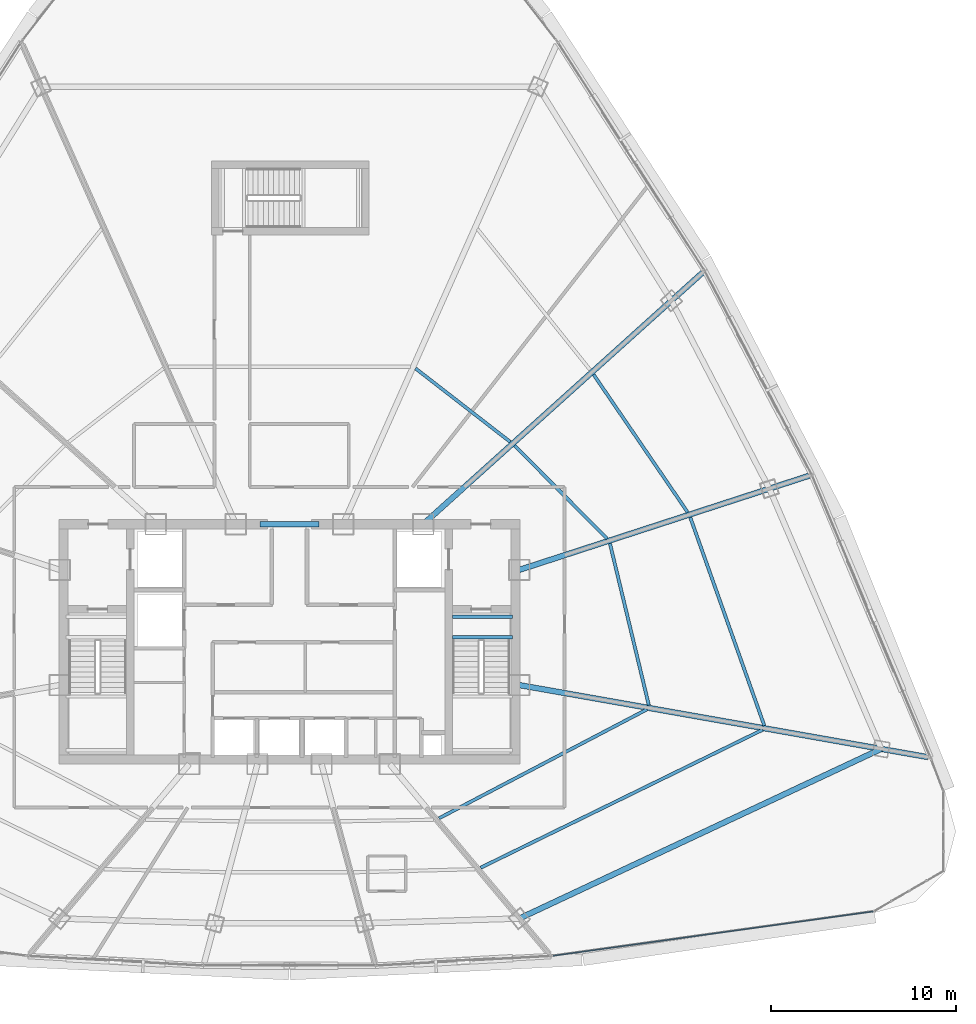
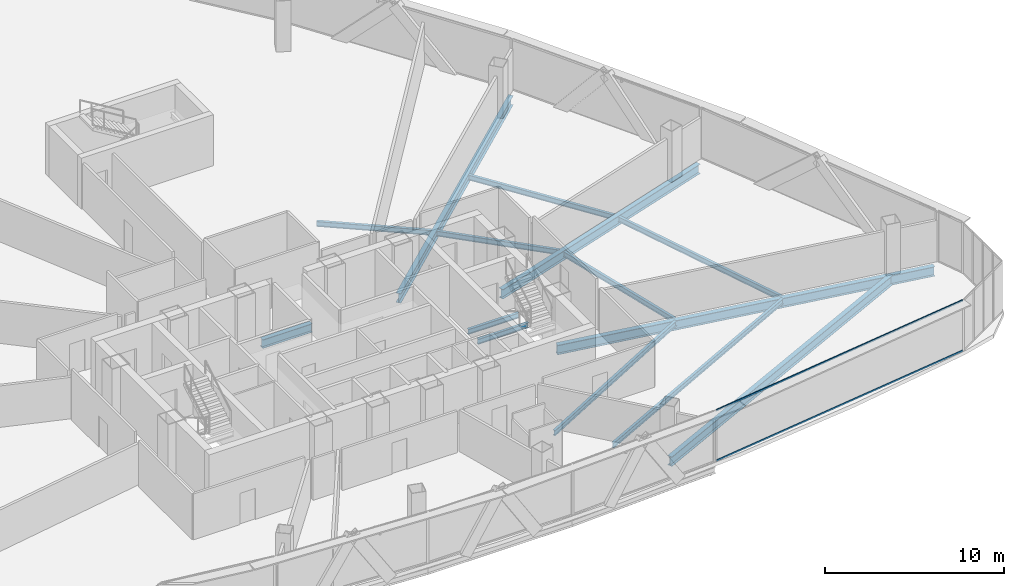
# One storey, part 13 of 36: 14 beams, 2 members, 1 element without a shape of its own.
"""IFC4 building model written with IfcOpenShell, lengths in metres."""

from ifc_helpers import new_model, si_unit, direction, frame, origin, origin_2d, place, context, subcontext, project, spatial, hollow_rectangle, i_section, extrude, source, transform, mapped, material, layer, layer_set, material_profile, profile_set, type_object, element, aggregate, save


model = new_model("IFC4")

# Units and contexts
model_context = context("Model", 3, precision=1e-05, world=origin(), true_north=direction((0.0, 1.0)))
body_context = subcontext(model_context, "Body", "Model", "MODEL_VIEW")
ifc_project = project(units=[si_unit("LENGTHUNIT", "METRE"), si_unit("AREAUNIT", "SQUARE_METRE"), si_unit("VOLUMEUNIT", "CUBIC_METRE"), si_unit("PLANEANGLEUNIT", "RADIAN"), si_unit("MASSUNIT", "GRAM", prefix="KILO"), si_unit("THERMODYNAMICTEMPERATUREUNIT", "KELVIN"), si_unit("POWERUNIT", "WATT")], contexts=[model_context])

# Site, building, storey
site_placement = place(None, origin())
site = spatial("IfcSite", under=ifc_project, at=site_placement, CompositionType="ELEMENT")
building_placement = place(site_placement, origin())
building = spatial("IfcBuilding", under=site, at=building_placement, Name="Yunzhuo Pagoda Commons", CompositionType="ELEMENT")
storey_placement = place(building_placement, frame((0.0, 0.0, 244.530029296875)))
storey = spatial("IfcBuildingStorey", under=building, at=storey_placement, Name="L61", CompositionType="ELEMENT", Elevation=244.530029296875)

# Beams
ifc_material_1 = material(Name="Structural steel Q355B", Category="steel")
ifc_material_profile_1 = material_profile(ifc_material_1, i_section(OverallWidth=0.175048828125, OverallDepth=0.35009765625, WebThickness=0.007080078125, FlangeThickness=0.010986328125, at=origin_2d()), Name="Structural steel Q355B")
ifc_profile_set_1 = profile_set([ifc_material_profile_1], Name="Structural steel Q355B")
beam_type_1 = type_object("IfcBeamType", Name="B-JS2 Joist HN 350x175x7x11", PredefinedType="JOIST", material=ifc_profile_set_1)
shared_shape_1 = source(origin(), body_context, "Body", "SweptSolid", [
    extrude(i_section(OverallWidth=0.175048828125, OverallDepth=0.35009765625, WebThickness=0.007080078125, FlangeThickness=0.010986328125, at=origin_2d()), origin(), (0.0, 0.0, 1.0), 3.25),
])
for number, where, z_axis, x_axis, name in (
    (1, (56.800048828125, 34.10009765625, -0.375), (1.0, 0.0, 0.0), (0.0, 1.0, 0.0), "L61 ST2 landing support beam 165A"),
    (2, (56.800048828125, 35.199951171875, -0.375), (1.0, 0.0, 0.0), (0.0, 1.0, 0.0), "L61 ST2 landing support beam 165B"),
):
    element("IfcBeam", number, at=place(storey_placement, frame(where, z_axis=z_axis, x_axis=x_axis)), inside=storey, type_object=beam_type_1, Name=name, PredefinedType="JOIST", context=body_context, shape_type="MappedRepresentation", body=[
        mapped(shared_shape_1, transform((0.0, 0.0, 0.0), scale=1.0)),
    ])
ifc_material_2 = material(Name="Structural steel Q420B", Category="steel")
ifc_material_profile_2 = material_profile(ifc_material_2, i_section(OverallWidth=0.300048828125, OverallDepth=0.587890625, WebThickness=0.011962890625, FlangeThickness=0.02001953125, at=origin_2d()), Name="Structural steel Q420B")
ifc_profile_set_2 = profile_set([ifc_material_profile_2], Name="Structural steel Q420B")
beam_type_2 = type_object("IfcBeamType", Name="B-CPL Beam HM 588x300x12x20", PredefinedType="BEAM", material=ifc_profile_set_2)
shared_shape_2 = source(origin(), body_context, "Body", "SweptSolid", [
    extrude(i_section(OverallWidth=0.300048828125, OverallDepth=0.587890625, WebThickness=0.011962890625, FlangeThickness=0.02001953125, at=origin_2d()), origin(), (0.0, 0.0, 1.0), 3.2001953125),
])
beam_1_placement = place(storey_placement, frame((46.39990234375, 40.199951171875, -0.553955078125), z_axis=(1.0, 0.0, 0.0), x_axis=(0.0, 1.0, 0.0)))
element("IfcBeam", 3, at=beam_1_placement, inside=storey, type_object=beam_type_2, Name="L61 core coupling girder", PredefinedType="BEAM", context=body_context, shape_type="MappedRepresentation", body=[
    mapped(shared_shape_2, transform((0.0, 0.0, 0.0), scale=1.0)),
])
ifc_material_profile_3 = material_profile(ifc_material_1, i_section(OverallWidth=0.300048828125, OverallDepth=0.64990234375, WebThickness=0.012939453125, FlangeThickness=0.02197265625, at=origin_2d()), Name="Structural steel Q355B")
ifc_profile_set_3 = profile_set([ifc_material_profile_3], Name="Structural steel Q355B")
beam_type_3 = type_object("IfcBeamType", Name="B-RG2 Beam HN 650x300x13x22", PredefinedType="BEAM", material=ifc_profile_set_3)
shared_shape_3 = source(origin(), body_context, "Body", "SweptSolid", [
    extrude(i_section(OverallWidth=0.300048828125, OverallDepth=0.64990234375, WebThickness=0.012939453125, FlangeThickness=0.02197265625, at=origin_2d()), origin(), (0.0, 0.0, 1.0), 21.56689453125),
])
beam_2_placement = place(storey_placement, frame((60.406982421875, 18.913818359375, -0.5849609375), z_axis=(0.905424265365, 0.424507832304, 0.0), x_axis=(-0.424507832304, 0.905424265365, 0.0)))
element("IfcBeam", 4, at=beam_2_placement, inside=storey, type_object=beam_type_3, Name="L61 column-ring beam 4", PredefinedType="BEAM", context=body_context, shape_type="MappedRepresentation", body=[
    mapped(shared_shape_3, transform((0.0, 0.0, 0.0), scale=1.0)),
])
shared_shape_4 = source(origin(), body_context, "Body", "SweptSolid", [
    extrude(i_section(OverallWidth=0.175048828125, OverallDepth=0.35009765625, WebThickness=0.007080078125, FlangeThickness=0.010986328125, at=origin_2d()), origin(), (0.0, 0.0, 1.0), 12.666259765625),
])
beam_3_placement = place(storey_placement, frame((56.0712890625, 24.32275390625, -0.43505859375), z_axis=(0.885841344078, 0.463988268302, 0.0), x_axis=(-0.463988268302, 0.885841344078, 0.0)))
element("IfcBeam", 5, at=beam_3_placement, inside=storey, type_object=beam_type_1, Name="L61 composite ring joist 1.4", PredefinedType="JOIST", context=body_context, shape_type="MappedRepresentation", body=[
    mapped(shared_shape_4, transform((0.0, 0.0, 0.0), scale=1.0)),
])
shared_shape_5 = source(origin(), body_context, "Body", "SweptSolid", [
    extrude(i_section(OverallWidth=0.175048828125, OverallDepth=0.35009765625, WebThickness=0.007080078125, FlangeThickness=0.010986328125, at=origin_2d()), origin(), (0.0, 0.0, 1.0), 16.95361328125),
])
beam_4_placement = place(storey_placement, frame((58.3115234375, 21.6513671875, -0.43505859375), z_axis=(0.898261717675, 0.439460904473, 0.0), x_axis=(-0.439460904473, 0.898261717675, 0.0)))
element("IfcBeam", 6, at=beam_4_placement, inside=storey, type_object=beam_type_1, Name="L61 composite ring joist 2.4", PredefinedType="JOIST", context=body_context, shape_type="MappedRepresentation", body=[
    mapped(shared_shape_5, transform((0.0, 0.0, 0.0), scale=1.0)),
])
shared_shape_6 = source(origin(), body_context, "Body", "SweptSolid", [
    extrude(i_section(OverallWidth=0.175048828125, OverallDepth=0.35009765625, WebThickness=0.007080078125, FlangeThickness=0.010986328125, at=origin_2d()), origin(), (0.0, 0.0, 1.0), 8.973876953125),
])
beam_5_placement = place(storey_placement, frame((67.395263671875, 30.42822265625, -0.43505859375), z_axis=(-0.233858589105, 0.972270620919, 0.0), x_axis=(-0.972270620919, -0.233858589105, 0.0)))
element("IfcBeam", 7, at=beam_5_placement, inside=storey, type_object=beam_type_1, Name="L61 composite ring joist 1.5", PredefinedType="JOIST", context=body_context, shape_type="MappedRepresentation", body=[
    mapped(shared_shape_6, transform((0.0, 0.0, 0.0), scale=1.0)),
])
shared_shape_7 = source(origin(), body_context, "Body", "SweptSolid", [
    extrude(i_section(OverallWidth=0.175048828125, OverallDepth=0.35009765625, WebThickness=0.007080078125, FlangeThickness=0.010986328125, at=origin_2d()), origin(), (0.0, 0.0, 1.0), 11.929931640625),
])
beam_6_placement = place(storey_placement, frame((73.6298828125, 29.3212890625, -0.43505859375), z_axis=(-0.335086374925, 0.942187413066, 0.0), x_axis=(-0.942187413066, -0.335086374925, 0.0)))
element("IfcBeam", 8, at=beam_6_placement, inside=storey, type_object=beam_type_1, Name="L61 composite ring joist 2.5", PredefinedType="JOIST", context=body_context, shape_type="MappedRepresentation", body=[
    mapped(shared_shape_7, transform((0.0, 0.0, 0.0), scale=1.0)),
])
shared_shape_8 = source(origin(), body_context, "Body", "SweptSolid", [
    extrude(i_section(OverallWidth=0.175048828125, OverallDepth=0.35009765625, WebThickness=0.007080078125, FlangeThickness=0.010986328125, at=origin_2d()), origin(), (0.0, 0.0, 1.0), 7.0732421875),
])
beam_7_placement = place(storey_placement, frame((65.147216796875, 39.42041015625, -0.43505859375), z_axis=(-0.706139657206, 0.708072584218, 0.0), x_axis=(-0.708072584218, -0.706139657206, 0.0)))
element("IfcBeam", 9, at=beam_7_placement, inside=storey, type_object=beam_type_1, Name="L61 composite ring joist 1.6", PredefinedType="JOIST", context=body_context, shape_type="MappedRepresentation", body=[
    mapped(shared_shape_8, transform((0.0, 0.0, 0.0), scale=1.0)),
])
shared_shape_9 = source(origin(), body_context, "Body", "SweptSolid", [
    extrude(i_section(OverallWidth=0.175048828125, OverallDepth=0.35009765625, WebThickness=0.007080078125, FlangeThickness=0.010986328125, at=origin_2d()), origin(), (0.0, 0.0, 1.0), 8.99365234375),
])
beam_8_placement = place(storey_placement, frame((69.4892578125, 40.8427734375, -0.43505859375), z_axis=(-0.564098900337, 0.825707230584, 0.0), x_axis=(-0.825707230584, -0.564098900337, 0.0)))
element("IfcBeam", 10, at=beam_8_placement, inside=storey, type_object=beam_type_1, Name="L61 composite ring joist 2.6", PredefinedType="JOIST", context=body_context, shape_type="MappedRepresentation", body=[
    mapped(shared_shape_9, transform((0.0, 0.0, 0.0), scale=1.0)),
])
shared_shape_10 = source(origin(), body_context, "Body", "SweptSolid", [
    extrude(i_section(OverallWidth=0.175048828125, OverallDepth=0.35009765625, WebThickness=0.007080078125, FlangeThickness=0.010986328125, at=origin_2d()), origin(), (0.0, 0.0, 1.0), 6.4677734375),
])
beam_9_placement = place(storey_placement, frame((59.914794921875, 44.638671875, -0.43505859375), z_axis=(-0.790160481991, 0.612900002202, 0.0), x_axis=(-0.612900002202, -0.790160481991, 0.0)))
element("IfcBeam", 11, at=beam_9_placement, inside=storey, type_object=beam_type_1, Name="L61 composite ring joist 1.7", PredefinedType="JOIST", context=body_context, shape_type="MappedRepresentation", body=[
    mapped(shared_shape_10, transform((0.0, 0.0, 0.0), scale=1.0)),
])
shared_shape_11 = source(origin(), body_context, "Body", "SweptSolid", [
    extrude(i_section(OverallWidth=0.300048828125, OverallDepth=0.64990234375, WebThickness=0.012939453125, FlangeThickness=0.02197265625, at=origin_2d()), origin(), (0.0, 0.0, 1.0), 22.39208984375),
])
beam_10_placement = place(storey_placement, frame((82.451904296875, 27.625244140625, -0.5849609375), z_axis=(-0.984809122528, 0.173640410577, 0.0), x_axis=(-0.173640410577, -0.984809122528, 0.0)))
element("IfcBeam", 12, at=beam_10_placement, inside=storey, type_object=beam_type_3, Name="L61 radial floor girder F2C1", PredefinedType="BEAM", context=body_context, shape_type="MappedRepresentation", body=[
    mapped(shared_shape_11, transform((0.0, 0.0, 0.0), scale=1.0)),
])
shared_shape_12 = source(origin(), body_context, "Body", "SweptSolid", [
    extrude(i_section(OverallWidth=0.300048828125, OverallDepth=0.64990234375, WebThickness=0.012939453125, FlangeThickness=0.02197265625, at=origin_2d()), origin(), (0.0, 0.0, 1.0), 16.453125),
])
beam_11_placement = place(storey_placement, frame((76.0478515625, 42.813232421875, -0.5849609375), z_axis=(-0.951058273777, -0.30901158535, 0.0), x_axis=(0.30901158535, -0.951058273777, 0.0)))
element("IfcBeam", 13, at=beam_11_placement, inside=storey, type_object=beam_type_3, Name="L61 radial floor girder F2C2", PredefinedType="BEAM", context=body_context, shape_type="MappedRepresentation", body=[
    mapped(shared_shape_12, transform((0.0, 0.0, 0.0), scale=1.0)),
])
shared_shape_13 = source(origin(), body_context, "Body", "SweptSolid", [
    extrude(i_section(OverallWidth=0.300048828125, OverallDepth=0.64990234375, WebThickness=0.012939453125, FlangeThickness=0.02197265625, at=origin_2d()), origin(), (0.0, 0.0, 1.0), 20.288818359375),
])
beam_12_placement = place(storey_placement, frame((70.29638671875, 53.77587890625, -0.5849609375), z_axis=(-0.743140353035, -0.669135573477, 0.0), x_axis=(0.669135573477, -0.743140353035, 0.0)))
element("IfcBeam", 14, at=beam_12_placement, inside=storey, type_object=beam_type_3, Name="L61 radial floor girder F2C3", PredefinedType="BEAM", context=body_context, shape_type="MappedRepresentation", body=[
    mapped(shared_shape_13, transform((0.0, 0.0, 0.0), scale=1.0)),
])

# Curtain wall, members
ifc_material_3 = material(Name="Anodized aluminium 6063-T6", Category="aluminium")
ifc_layer = layer(ifc_material_3, 0.139892578125)
ifc_layer_set = layer_set([ifc_layer], Name="Anodized aluminium 6063-T6")
curtain_wall_type = type_object("IfcCurtainWallType", Name="CW-HI High-Zone Ribbon Curtain Wall", PredefinedType="NOTDEFINED", material=ifc_layer_set)
curtain_wall_placement = place(storey_placement, origin())
curtain_wall = element("IfcCurtainWall", 15, at=curtain_wall_placement, inside=storey, type_object=curtain_wall_type, Name="L61 curtain wall CW-L61-F1B5", PredefinedType="NOTDEFINED")
ifc_material_profile_4 = material_profile(ifc_material_3, hollow_rectangle(XDim=0.054931640625, YDim=0.1201171875, WallThickness=0.00341796875, at=origin_2d()), Name="Anodized aluminium 6063-T6")
ifc_profile_set_4 = profile_set([ifc_material_profile_4], Name="Anodized aluminium 6063-T6")
member_type = type_object("IfcMemberType", Name="CW-HI-T Transom RHS 120x55x3.5", PredefinedType="USERDEFINED", material=ifc_profile_set_4)
shared_shape_14 = source(origin(), body_context, "Body", "SweptSolid", [
    extrude(hollow_rectangle(XDim=0.054931640625, YDim=0.1201171875, WallThickness=0.00341796875, at=origin_2d()), origin(), (0.0, 0.0, 1.0), 17.41650390625),
])
member_1_placement = place(storey_placement, frame((62.242919921875, 16.90380859375, 0.027587890625), z_axis=(0.990534830661, 0.137261608789, 0.0), x_axis=(-0.137261608789, 0.990534830661, 0.0)))
member_1 = element("IfcMember", 16, at=member_1_placement, type_object=member_type, Name="CW transom 1.1", ObjectType="TRANSOM", PredefinedType="USERDEFINED", context=body_context, shape_type="MappedRepresentation", body=[
    mapped(shared_shape_14, transform((0.0, 0.0, 0.0), scale=1.0)),
])
member_2_placement = place(storey_placement, frame((62.242919921875, 16.90380859375, 3.4423828125), z_axis=(0.990534830661, 0.137261608789, 0.0), x_axis=(-0.137261608789, 0.990534830661, 0.0)))
member_2 = element("IfcMember", 17, at=member_2_placement, type_object=member_type, Name="CW transom 1.2", ObjectType="TRANSOM", PredefinedType="USERDEFINED", context=body_context, shape_type="MappedRepresentation", body=[
    mapped(shared_shape_14, transform((0.0, 0.0, 0.0), scale=1.0)),
])
aggregate(curtain_wall, [member_1, member_2])

save(model, "model.ifc")
